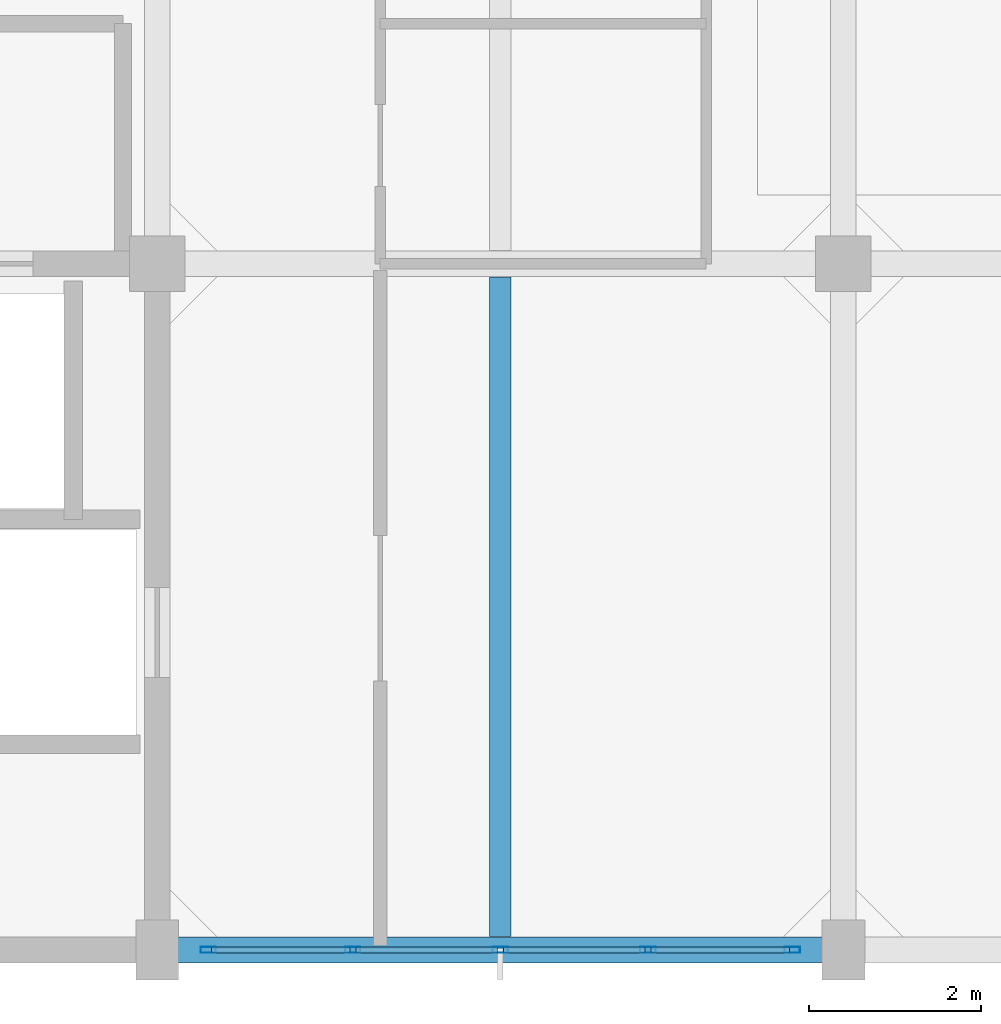
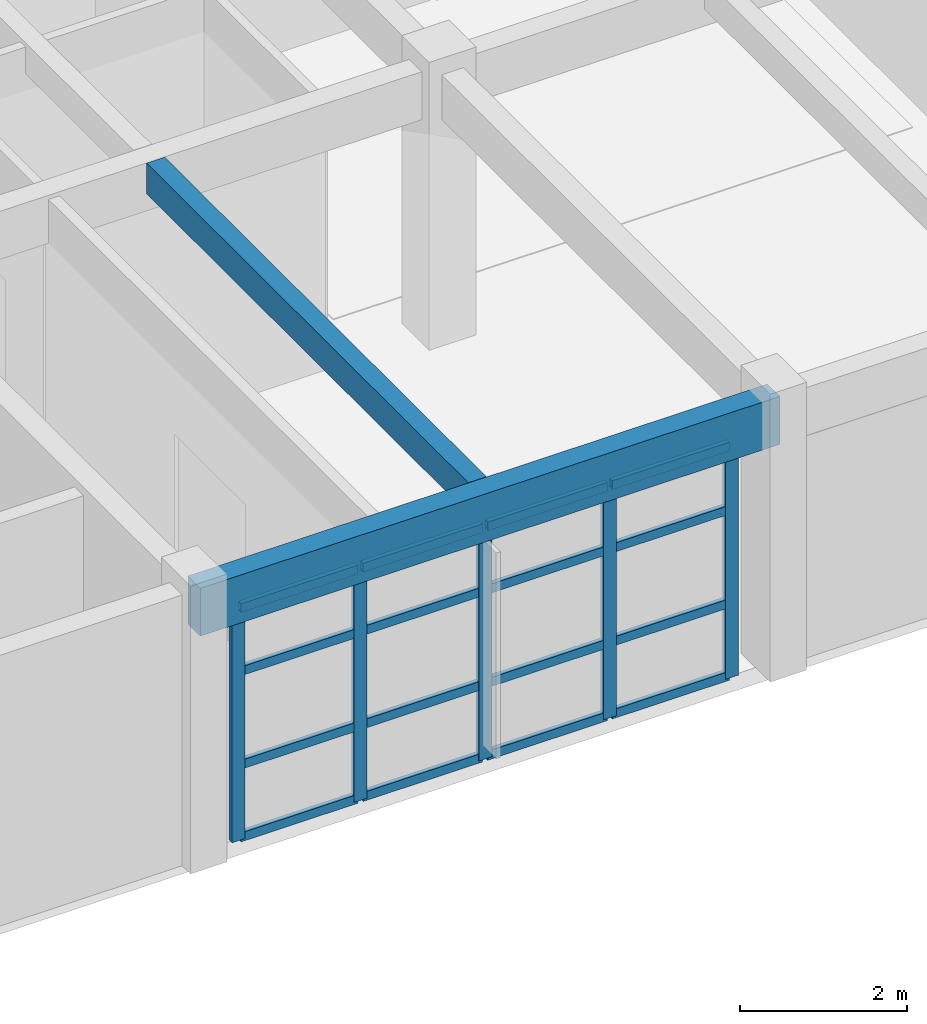
# One storey, part 4 of 16: 21 members, 2 beams, 1 element without a shape of its own.
"""IFC4 building model written with IfcOpenShell, lengths in metres."""

from ifc_helpers import new_model, si_unit, direction, frame, origin, origin_2d, place, context, subcontext, project, spatial, rectangle, hollow_rectangle, extrude, material, layer, layer_set, material_profile, profile_set, type_object, element, aggregate, save


model = new_model("IFC4")

# Units and contexts
model_context = context("Model", 3, precision=1e-05, world=origin(), true_north=direction((0.0, 1.0)))
body_context = subcontext(model_context, "Body", "Model", "MODEL_VIEW")
ifc_project = project(units=[si_unit("LENGTHUNIT", "METRE"), si_unit("AREAUNIT", "SQUARE_METRE"), si_unit("VOLUMEUNIT", "CUBIC_METRE"), si_unit("PLANEANGLEUNIT", "RADIAN"), si_unit("MASSUNIT", "GRAM", prefix="KILO")], contexts=[model_context])

# Site, building, storey
site_placement = place(None, origin())
site = spatial("IfcSite", under=ifc_project, at=site_placement, CompositionType="ELEMENT")
building_placement = place(site_placement, origin())
building = spatial("IfcBuilding", under=site, at=building_placement, Name="Canggui Botanical Conservatory", CompositionType="ELEMENT")
storey_placement = place(building_placement, frame((0.0, 0.0, 65.39990234375)))
storey = spatial("IfcBuildingStorey", under=building, at=storey_placement, Name="L16", CompositionType="ELEMENT", Elevation=65.39990234375)

# Beams
ifc_material_1 = material(Name="Concrete C35", Category="concrete")
ifc_material_profile_1 = material_profile(ifc_material_1, rectangle(XDim=0.25, YDim=0.449951171875, at=origin_2d()), Name="RB 250x450")
ifc_profile_set_1 = profile_set([ifc_material_profile_1], Name="Concrete C35")
beam_type_1 = type_object("IfcBeamType", Name="BM-JST05", PredefinedType="JOIST", material=ifc_profile_set_1)
beam_1_placement = place(storey_placement, frame((166.0, 42.155029296875, 3.735107421875), z_axis=(0.0, 1.0, 0.0), x_axis=(-1.0, 0.0, 0.0)))
element("IfcBeam", 1, at=beam_1_placement, inside=storey, type_object=beam_type_1, Name="Secondary Floor Joist L16-3-1", PredefinedType="JOIST", context=body_context, shape_type="SweptSolid", body=[
    extrude(rectangle(XDim=0.25, YDim=0.449951171875, at=origin_2d()), origin(), (0.0, 0.0, 1.0), 7.68994140625),
])
ifc_material_profile_2 = material_profile(ifc_material_1, rectangle(XDim=0.300048828125, YDim=0.699951171875, at=origin_2d()), Name="RB 300x700")
ifc_profile_set_2 = profile_set([ifc_material_profile_2], Name="Concrete C35")
beam_type_2 = type_object("IfcBeamType", Name="BM-KL21", PredefinedType="BEAM", material=ifc_profile_set_2)
beam_2_placement = place(storey_placement, frame((162.0, 42.0, 3.610107421875), z_axis=(1.0, 0.0, 0.0), x_axis=(0.0, 1.0, 0.0)))
element("IfcBeam", 2, at=beam_2_placement, inside=storey, type_object=beam_type_2, Name="Frame Girder L16 Y42-3", PredefinedType="BEAM", context=body_context, shape_type="SweptSolid", body=[
    extrude(rectangle(XDim=0.300048828125, YDim=0.699951171875, at=origin_2d()), origin(), (0.0, 0.0, 1.0), 8.0),
])

# Curtain wall, members
ifc_material_2 = material(Name="Thermally Broken Aluminium", Category="aluminium")
ifc_layer = layer(ifc_material_2, 0.179931640625, Name="Thermally Broken Aluminium", Category="aluminium")
ifc_layer_set = layer_set([ifc_layer], Name="Thermally Broken Aluminium")
curtain_wall_type = type_object("IfcCurtainWallType", Name="CW-UNIT-A", PredefinedType="USERDEFINED", material=ifc_layer_set)
curtain_wall_placement = place(storey_placement, origin())
curtain_wall = element("IfcCurtainWall", 3, at=curtain_wall_placement, inside=storey, type_object=curtain_wall_type, Name="Facade Curtain Wall CW-TWR-L16-02", ObjectType="UNITISED CURTAIN WALL", PredefinedType="USERDEFINED")
ifc_material_profile_3 = material_profile(ifc_material_2, hollow_rectangle(XDim=0.070068359375, YDim=0.179931640625, WallThickness=0.00390625, at=origin_2d()), Name="CWM 70x180x4")
ifc_profile_set_3 = profile_set([ifc_material_profile_3], Name="Thermally Broken Aluminium")
member_type_1 = type_object("IfcMemberType", Name="CWM-01", PredefinedType="MULLION", material=ifc_profile_set_3)
member_1_placement = place(storey_placement, frame((169.405029296875, 42.0, 0.0), z_axis=(0.0, 0.0, 1.0), x_axis=(0.0, -1.0, 0.0)))
member_1 = element("IfcMember", 4, at=member_1_placement, type_object=member_type_1, Name="CW-01 mullion 1", PredefinedType="MULLION", context=body_context, shape_type="SweptSolid", body=[
    extrude(hollow_rectangle(XDim=0.070068359375, YDim=0.179931640625, WallThickness=0.00390625, at=origin_2d()), origin(), (0.0, 0.0, 1.0), 3.41015625),
])
member_2_placement = place(storey_placement, frame((167.719970703125, 42.0, 0.0), z_axis=(0.0, 0.0, 1.0), x_axis=(0.0, -1.0, 0.0)))
member_2 = element("IfcMember", 5, at=member_2_placement, type_object=member_type_1, Name="CW-01 mullion 2", PredefinedType="MULLION", context=body_context, shape_type="SweptSolid", body=[
    extrude(hollow_rectangle(XDim=0.070068359375, YDim=0.179931640625, WallThickness=0.00390625, at=origin_2d()), origin(), (0.0, 0.0, 1.0), 3.41015625),
])
member_3_placement = place(storey_placement, frame((166.0, 42.0, 0.0), z_axis=(0.0, 0.0, 1.0), x_axis=(0.0, -1.0, 0.0)))
member_3 = element("IfcMember", 6, at=member_3_placement, type_object=member_type_1, Name="CW-01 mullion 3", PredefinedType="MULLION", context=body_context, shape_type="SweptSolid", body=[
    extrude(hollow_rectangle(XDim=0.070068359375, YDim=0.179931640625, WallThickness=0.00390625, at=origin_2d()), origin(), (0.0, 0.0, 1.0), 3.41015625),
])
member_4_placement = place(storey_placement, frame((164.280029296875, 42.0, 0.0), z_axis=(0.0, 0.0, 1.0), x_axis=(0.0, -1.0, 0.0)))
member_4 = element("IfcMember", 7, at=member_4_placement, type_object=member_type_1, Name="CW-01 mullion 4", PredefinedType="MULLION", context=body_context, shape_type="SweptSolid", body=[
    extrude(hollow_rectangle(XDim=0.070068359375, YDim=0.179931640625, WallThickness=0.00390625, at=origin_2d()), origin(), (0.0, 0.0, 1.0), 3.41015625),
])
member_5_placement = place(storey_placement, frame((162.594970703125, 42.0, 0.0), z_axis=(0.0, 0.0, 1.0), x_axis=(0.0, -1.0, 0.0)))
member_5 = element("IfcMember", 8, at=member_5_placement, type_object=member_type_1, Name="CW-01 mullion 5", PredefinedType="MULLION", context=body_context, shape_type="SweptSolid", body=[
    extrude(hollow_rectangle(XDim=0.070068359375, YDim=0.179931640625, WallThickness=0.00390625, at=origin_2d()), origin(), (0.0, 0.0, 1.0), 3.41015625),
])
ifc_material_profile_4 = material_profile(ifc_material_2, hollow_rectangle(XDim=0.06494140625, YDim=0.1298828125, WallThickness=0.00341796875, at=origin_2d()), Name="CWT 65x130x3.5")
ifc_profile_set_4 = profile_set([ifc_material_profile_4], Name="Thermally Broken Aluminium")
member_type_2 = type_object("IfcMemberType", Name="CWT-01", PredefinedType="USERDEFINED", material=ifc_profile_set_4)
member_6_placement = place(storey_placement, frame((169.3701171875, 42.0, 0.03271484375), z_axis=(-1.0, 0.0, 0.0), x_axis=(0.0, -1.0, 0.0)))
member_6 = element("IfcMember", 9, at=member_6_placement, type_object=member_type_2, Name="CW-01 transom 1.1", ObjectType="TRANSOM", PredefinedType="USERDEFINED", context=body_context, shape_type="SweptSolid", body=[
    extrude(hollow_rectangle(XDim=0.06494140625, YDim=0.1298828125, WallThickness=0.00341796875, at=origin_2d()), origin(), (0.0, 0.0, 1.0), 1.615234375),
])
member_7_placement = place(storey_placement, frame((169.3701171875, 42.0, 1.09130859375), z_axis=(-1.0, 0.0, 0.0), x_axis=(0.0, -1.0, 0.0)))
member_7 = element("IfcMember", 10, at=member_7_placement, type_object=member_type_2, Name="CW-01 transom 1.2", ObjectType="TRANSOM", PredefinedType="USERDEFINED", context=body_context, shape_type="SweptSolid", body=[
    extrude(hollow_rectangle(XDim=0.06494140625, YDim=0.1298828125, WallThickness=0.00341796875, at=origin_2d()), origin(), (0.0, 0.0, 1.0), 1.615234375),
])
member_8_placement = place(storey_placement, frame((169.3701171875, 42.0, 2.455322265625), z_axis=(-1.0, 0.0, 0.0), x_axis=(0.0, -1.0, 0.0)))
member_8 = element("IfcMember", 11, at=member_8_placement, type_object=member_type_2, Name="CW-01 transom 1.3", ObjectType="TRANSOM", PredefinedType="USERDEFINED", context=body_context, shape_type="SweptSolid", body=[
    extrude(hollow_rectangle(XDim=0.06494140625, YDim=0.1298828125, WallThickness=0.00341796875, at=origin_2d()), origin(), (0.0, 0.0, 1.0), 1.615234375),
])
member_9_placement = place(storey_placement, frame((169.3701171875, 42.0, 3.377685546875), z_axis=(-1.0, 0.0, 0.0), x_axis=(0.0, -1.0, 0.0)))
member_9 = element("IfcMember", 12, at=member_9_placement, type_object=member_type_2, Name="CW-01 transom 1.4", ObjectType="TRANSOM", PredefinedType="USERDEFINED", context=body_context, shape_type="SweptSolid", body=[
    extrude(hollow_rectangle(XDim=0.06494140625, YDim=0.1298828125, WallThickness=0.00341796875, at=origin_2d()), origin(), (0.0, 0.0, 1.0), 1.615234375),
])
member_10_placement = place(storey_placement, frame((167.68505859375, 42.0, 0.03271484375), z_axis=(-1.0, 0.0, 0.0), x_axis=(0.0, -1.0, 0.0)))
member_10 = element("IfcMember", 13, at=member_10_placement, type_object=member_type_2, Name="CW-01 transom 2.1", ObjectType="TRANSOM", PredefinedType="USERDEFINED", context=body_context, shape_type="SweptSolid", body=[
    extrude(hollow_rectangle(XDim=0.06494140625, YDim=0.1298828125, WallThickness=0.00341796875, at=origin_2d()), origin(), (0.0, 0.0, 1.0), 1.650146484375),
])
member_11_placement = place(storey_placement, frame((167.68505859375, 42.0, 1.09130859375), z_axis=(-1.0, 0.0, 0.0), x_axis=(0.0, -1.0, 0.0)))
member_11 = element("IfcMember", 14, at=member_11_placement, type_object=member_type_2, Name="CW-01 transom 2.2", ObjectType="TRANSOM", PredefinedType="USERDEFINED", context=body_context, shape_type="SweptSolid", body=[
    extrude(hollow_rectangle(XDim=0.06494140625, YDim=0.1298828125, WallThickness=0.00341796875, at=origin_2d()), origin(), (0.0, 0.0, 1.0), 1.650146484375),
])
member_12_placement = place(storey_placement, frame((167.68505859375, 42.0, 2.455322265625), z_axis=(-1.0, 0.0, 0.0), x_axis=(0.0, -1.0, 0.0)))
member_12 = element("IfcMember", 15, at=member_12_placement, type_object=member_type_2, Name="CW-01 transom 2.3", ObjectType="TRANSOM", PredefinedType="USERDEFINED", context=body_context, shape_type="SweptSolid", body=[
    extrude(hollow_rectangle(XDim=0.06494140625, YDim=0.1298828125, WallThickness=0.00341796875, at=origin_2d()), origin(), (0.0, 0.0, 1.0), 1.650146484375),
])
member_13_placement = place(storey_placement, frame((167.68505859375, 42.0, 3.377685546875), z_axis=(-1.0, 0.0, 0.0), x_axis=(0.0, -1.0, 0.0)))
member_13 = element("IfcMember", 16, at=member_13_placement, type_object=member_type_2, Name="CW-01 transom 2.4", ObjectType="TRANSOM", PredefinedType="USERDEFINED", context=body_context, shape_type="SweptSolid", body=[
    extrude(hollow_rectangle(XDim=0.06494140625, YDim=0.1298828125, WallThickness=0.00341796875, at=origin_2d()), origin(), (0.0, 0.0, 1.0), 1.650146484375),
])
member_14_placement = place(storey_placement, frame((165.965087890625, 42.0, 0.03271484375), z_axis=(-1.0, 0.0, 0.0), x_axis=(0.0, -1.0, 0.0)))
member_14 = element("IfcMember", 17, at=member_14_placement, type_object=member_type_2, Name="CW-01 transom 3.1", ObjectType="TRANSOM", PredefinedType="USERDEFINED", context=body_context, shape_type="SweptSolid", body=[
    extrude(hollow_rectangle(XDim=0.06494140625, YDim=0.1298828125, WallThickness=0.00341796875, at=origin_2d()), origin(), (0.0, 0.0, 1.0), 1.650146484375),
])
member_15_placement = place(storey_placement, frame((165.965087890625, 42.0, 1.09130859375), z_axis=(-1.0, 0.0, 0.0), x_axis=(0.0, -1.0, 0.0)))
member_15 = element("IfcMember", 18, at=member_15_placement, type_object=member_type_2, Name="CW-01 transom 3.2", ObjectType="TRANSOM", PredefinedType="USERDEFINED", context=body_context, shape_type="SweptSolid", body=[
    extrude(hollow_rectangle(XDim=0.06494140625, YDim=0.1298828125, WallThickness=0.00341796875, at=origin_2d()), origin(), (0.0, 0.0, 1.0), 1.650146484375),
])
member_16_placement = place(storey_placement, frame((165.965087890625, 42.0, 2.455322265625), z_axis=(-1.0, 0.0, 0.0), x_axis=(0.0, -1.0, 0.0)))
member_16 = element("IfcMember", 19, at=member_16_placement, type_object=member_type_2, Name="CW-01 transom 3.3", ObjectType="TRANSOM", PredefinedType="USERDEFINED", context=body_context, shape_type="SweptSolid", body=[
    extrude(hollow_rectangle(XDim=0.06494140625, YDim=0.1298828125, WallThickness=0.00341796875, at=origin_2d()), origin(), (0.0, 0.0, 1.0), 1.650146484375),
])
member_17_placement = place(storey_placement, frame((165.965087890625, 42.0, 3.377685546875), z_axis=(-1.0, 0.0, 0.0), x_axis=(0.0, -1.0, 0.0)))
member_17 = element("IfcMember", 20, at=member_17_placement, type_object=member_type_2, Name="CW-01 transom 3.4", ObjectType="TRANSOM", PredefinedType="USERDEFINED", context=body_context, shape_type="SweptSolid", body=[
    extrude(hollow_rectangle(XDim=0.06494140625, YDim=0.1298828125, WallThickness=0.00341796875, at=origin_2d()), origin(), (0.0, 0.0, 1.0), 1.650146484375),
])
member_18_placement = place(storey_placement, frame((164.2451171875, 42.0, 0.03271484375), z_axis=(-1.0, 0.0, 0.0), x_axis=(0.0, -1.0, 0.0)))
member_18 = element("IfcMember", 21, at=member_18_placement, type_object=member_type_2, Name="CW-01 transom 4.1", ObjectType="TRANSOM", PredefinedType="USERDEFINED", context=body_context, shape_type="SweptSolid", body=[
    extrude(hollow_rectangle(XDim=0.06494140625, YDim=0.1298828125, WallThickness=0.00341796875, at=origin_2d()), origin(), (0.0, 0.0, 1.0), 1.615234375),
])
member_19_placement = place(storey_placement, frame((164.2451171875, 42.0, 1.09130859375), z_axis=(-1.0, 0.0, 0.0), x_axis=(0.0, -1.0, 0.0)))
member_19 = element("IfcMember", 22, at=member_19_placement, type_object=member_type_2, Name="CW-01 transom 4.2", ObjectType="TRANSOM", PredefinedType="USERDEFINED", context=body_context, shape_type="SweptSolid", body=[
    extrude(hollow_rectangle(XDim=0.06494140625, YDim=0.1298828125, WallThickness=0.00341796875, at=origin_2d()), origin(), (0.0, 0.0, 1.0), 1.615234375),
])
member_20_placement = place(storey_placement, frame((164.2451171875, 42.0, 2.455322265625), z_axis=(-1.0, 0.0, 0.0), x_axis=(0.0, -1.0, 0.0)))
member_20 = element("IfcMember", 23, at=member_20_placement, type_object=member_type_2, Name="CW-01 transom 4.3", ObjectType="TRANSOM", PredefinedType="USERDEFINED", context=body_context, shape_type="SweptSolid", body=[
    extrude(hollow_rectangle(XDim=0.06494140625, YDim=0.1298828125, WallThickness=0.00341796875, at=origin_2d()), origin(), (0.0, 0.0, 1.0), 1.615234375),
])
member_21_placement = place(storey_placement, frame((164.2451171875, 42.0, 3.377685546875), z_axis=(-1.0, 0.0, 0.0), x_axis=(0.0, -1.0, 0.0)))
member_21 = element("IfcMember", 24, at=member_21_placement, type_object=member_type_2, Name="CW-01 transom 4.4", ObjectType="TRANSOM", PredefinedType="USERDEFINED", context=body_context, shape_type="SweptSolid", body=[
    extrude(hollow_rectangle(XDim=0.06494140625, YDim=0.1298828125, WallThickness=0.00341796875, at=origin_2d()), origin(), (0.0, 0.0, 1.0), 1.615234375),
])
aggregate(curtain_wall, [member_1, member_2, member_3, member_4, member_5, member_6, member_7, member_8, member_9, member_10, member_11, member_12, member_13, member_14, member_15, member_16, member_17, member_18, member_19, member_20, member_21])

save(model, "model.ifc")
